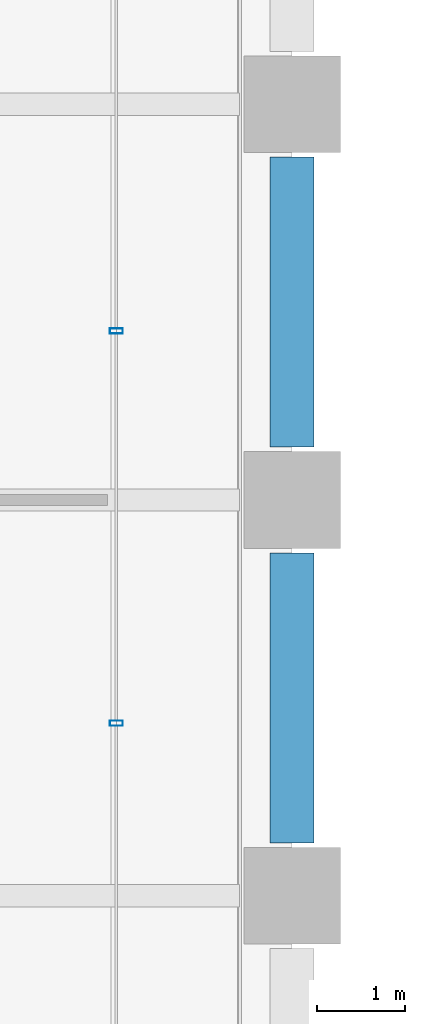
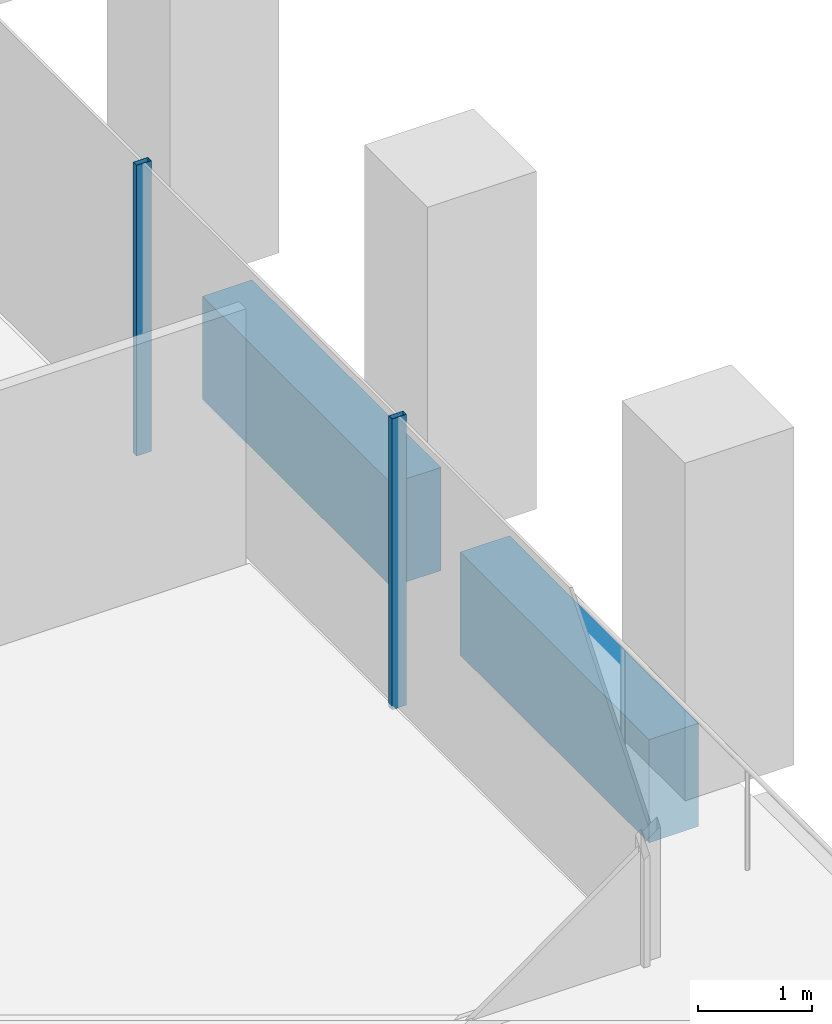
# One storey, part 18 of 55: 2 beams, 2 members, 1 element without a shape of its own.
"""IFC4 building model written with IfcOpenShell, lengths in metres."""

from ifc_helpers import new_model, si_unit, direction, frame, origin, origin_2d, place, context, subcontext, project, spatial, rectangle, hollow_rectangle, extrude, material, material_profile, profile_set, type_object, element, aggregate, save


model = new_model("IFC4")

# Units and contexts
model_context = context("Model", 3, precision=1e-05, world=origin(), true_north=direction((0.0, 1.0)))
body_context = subcontext(model_context, "Body", "Model", "MODEL_VIEW")
ifc_project = project(units=[si_unit("LENGTHUNIT", "METRE"), si_unit("AREAUNIT", "SQUARE_METRE"), si_unit("VOLUMEUNIT", "CUBIC_METRE"), si_unit("PLANEANGLEUNIT", "RADIAN"), si_unit("MASSUNIT", "GRAM", prefix="KILO")], contexts=[model_context])

# Site, building, storey
site_placement = place(None, origin())
site = spatial("IfcSite", under=ifc_project, at=site_placement, CompositionType="ELEMENT")
building_placement = place(site_placement, origin())
building = spatial("IfcBuilding", under=site, at=building_placement, Name="Altepetl Exchange Towers", CompositionType="ELEMENT")
storey_placement = place(building_placement, frame((0.0, 0.0, 47.39990234375)))
storey = spatial("IfcBuildingStorey", under=building, at=storey_placement, Name="L10", CompositionType="ELEMENT", Elevation=47.39990234375)

# Curtain wall, members
ifc_material_1 = material(Name="Aluminium 6063-T6 glazing", Category="aluminium")
curtain_wall_type = type_object("IfcCurtainWallType", Name="Loggia glazing system", PredefinedType="NOTDEFINED", material=ifc_material_1)
curtain_wall_placement = place(storey_placement, origin())
curtain_wall = element("IfcCurtainWall", 1, at=curtain_wall_placement, inside=storey, type_object=curtain_wall_type, Name="CW1 run", PredefinedType="NOTDEFINED")
ifc_material_2 = material(Name="Aluminium 6063-T6", Category="aluminium")
ifc_material_profile_1 = material_profile(ifc_material_2, hollow_rectangle(XDim=0.06005859375, YDim=0.14990234375, WallThickness=0.0029296875, at=origin_2d()), Name="Mullion 60x150 aluminium")
ifc_profile_set_1 = profile_set([ifc_material_profile_1], Name="Aluminium 6063-T6")
member_type = type_object("IfcMemberType", Name="Mullion 60x150 aluminium", PredefinedType="MULLION", material=ifc_profile_set_1)
member_1_placement = place(storey_placement, frame((70.0, 37.9609375, 0.0), z_axis=(0.0, 0.0, 1.0), x_axis=(0.0, 1.0, 0.0)))
member_1 = element("IfcMember", 2, at=member_1_placement, type_object=member_type, Name="MU1 mullion", PredefinedType="MULLION", context=body_context, shape_type="SweptSolid", body=[
    extrude(hollow_rectangle(XDim=0.06005859375, YDim=0.14990234375, WallThickness=0.0029296875, at=origin_2d()), origin(), (0.0, 0.0, 1.0), 3.10009765625),
])
member_2_placement = place(storey_placement, frame((70.0, 42.422119140625, 0.0), z_axis=(0.0, 0.0, 1.0), x_axis=(0.0, 1.0, 0.0)))
member_2 = element("IfcMember", 3, at=member_2_placement, type_object=member_type, Name="MU1 mullion", PredefinedType="MULLION", context=body_context, shape_type="SweptSolid", body=[
    extrude(hollow_rectangle(XDim=0.06005859375, YDim=0.14990234375, WallThickness=0.0029296875, at=origin_2d()), origin(), (0.0, 0.0, 1.0), 3.10009765625),
])
aggregate(curtain_wall, [member_1, member_2])

# Beams
ifc_material_3 = material(Name="Concrete C50/60 precast with cantera amarilla facing", Category="concrete")
ifc_material_profile_2 = material_profile(ifc_material_3, rectangle(XDim=0.5, YDim=1.10009765625, at=origin_2d()), Name="500 x 1100")
ifc_profile_set_2 = profile_set([ifc_material_profile_2], Name="Concrete C50/60 precast with cantera amarilla facing")
beam_type = type_object("IfcBeamType", Name="Spandrel beam 500x1100 cantera amarilla", PredefinedType="SPANDREL", material=ifc_profile_set_2)
for number, where, z_axis, x_axis, name in (
    (4, (72.0, 36.60009765625, -0.699951171875), (0.0, 1.0, 0.0), (-1.0, 0.0, 0.0), "sp:A:L10:013"),
    (5, (72.0, 41.10009765625, -0.699951171875), (0.0, 1.0, 0.0), (-1.0, 0.0, 0.0), "sp:A:L10:014"),
):
    element("IfcBeam", number, at=place(storey_placement, frame(where, z_axis=z_axis, x_axis=x_axis)), inside=storey, type_object=beam_type, Name=name, PredefinedType="SPANDREL", context=body_context, shape_type="SweptSolid", body=[
        extrude(rectangle(XDim=0.5, YDim=1.10009765625, at=origin_2d()), origin(), (0.0, 0.0, 1.0), 3.2998046875),
    ])

save(model, "model.ifc")
